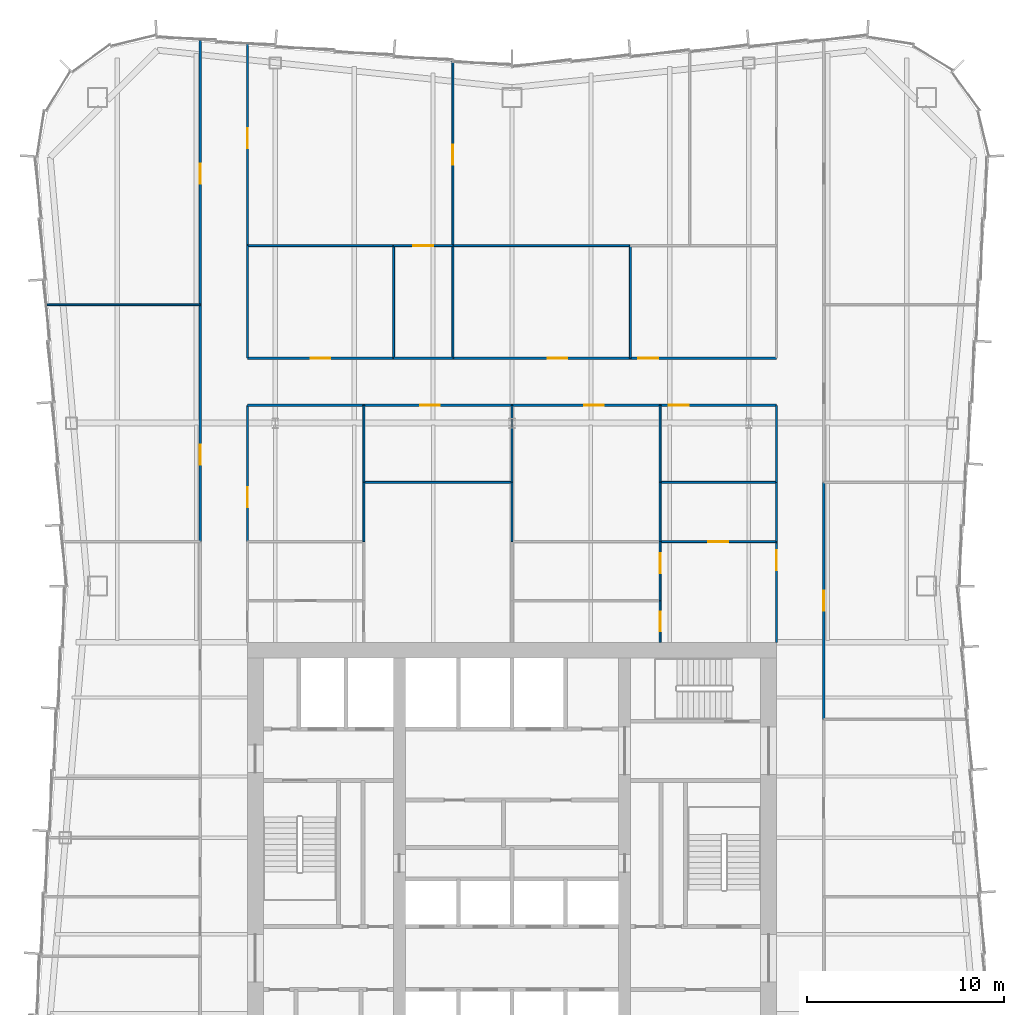
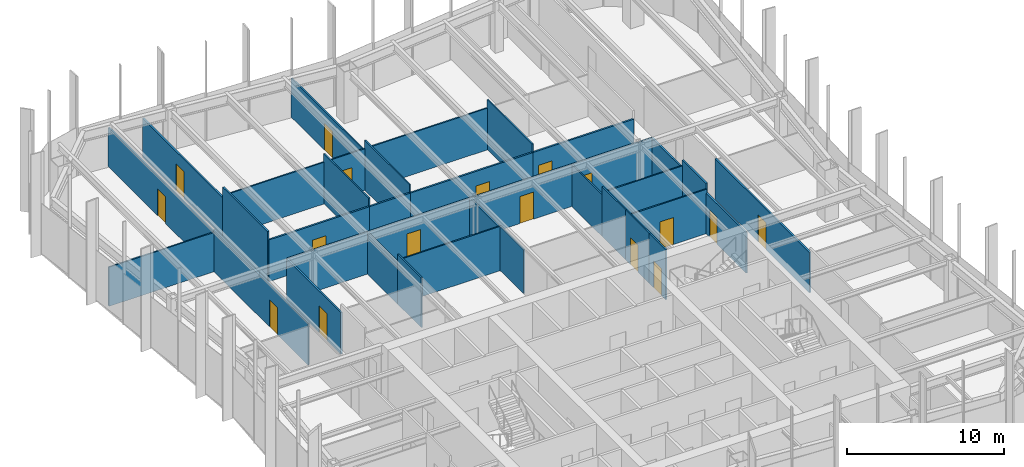
# One storey, part 13 of 15: 36 walls, 17 doors, 17 openings.
"""IFC4 building model written with IfcOpenShell, lengths in metres."""

from ifc_helpers import new_model, si_unit, direction, frame, frame_2d, origin, place, context, subcontext, project, spatial, rectangle, extrude, material, layer, layer_set, type_object, element, fill, save


model = new_model("IFC4")

# Units and contexts
model_context = context("Model", 3, precision=1e-05, world=origin(), true_north=direction((0.0, 1.0)))
body_context = subcontext(model_context, "Body", "Model", "MODEL_VIEW")
ifc_project = project(units=[si_unit("LENGTHUNIT", "METRE"), si_unit("AREAUNIT", "SQUARE_METRE"), si_unit("VOLUMEUNIT", "CUBIC_METRE"), si_unit("PLANEANGLEUNIT", "RADIAN"), si_unit("MASSUNIT", "GRAM", prefix="KILO")], contexts=[model_context])

# Site, building, storey
site_placement = place(None, origin())
site = spatial("IfcSite", under=ifc_project, at=site_placement, CompositionType="ELEMENT")
building_placement = place(site_placement, origin())
building = spatial("IfcBuilding", under=site, at=building_placement, Name="Verdant Reach Tower", CompositionType="ELEMENT")
storey_placement = place(building_placement, frame((0.0, 0.0, 274.0)))
storey = spatial("IfcBuildingStorey", under=building, at=storey_placement, Name="L63", CompositionType="ELEMENT", Elevation=274.0)

# Walls
ifc_material_1 = material(Name="Gypsum board on steel studs", Category="steel")
ifc_layer_1 = layer(ifc_material_1, 0.10009765625)
ifc_layer_set_1 = layer_set([ifc_layer_1], Name="FL-W1 Partition 100")
wall_type_1 = type_object("IfcWallType", Name="FL-W1 Partition 100", PredefinedType="PARTITIONING", material=ifc_layer_set_1)
wall_1_placement = place(storey_placement, frame((-15.800048828125, 55.5, 0.0), z_axis=(0.0, 0.0, 1.0), x_axis=(-1.0, 0.0, 0.0)))
element("IfcWall", 1, at=wall_1_placement, inside=storey, type_object=wall_type_1, Name="Partition 63.38", PredefinedType="PARTITIONING", context=body_context, shape_type="SweptSolid", body=[
    extrude(rectangle(XDim=7.7626953125, YDim=0.10009765625, at=frame_2d((3.88134765625, 0.0))), origin(), (0.0, 0.0, 1.0), 3.0400390625),
])
wall_2_placement = place(storey_placement, frame((-7.5, 43.49609375, 0.0), z_axis=(0.0, 0.0, 1.0), x_axis=(0.0, 1.0, 0.0)))
element("IfcWall", 2, at=wall_2_placement, inside=storey, type_object=wall_type_1, Name="Partition 63.51", PredefinedType="PARTITIONING", context=body_context, shape_type="SweptSolid", body=[
    extrude(rectangle(XDim=3.00390625, YDim=0.10009765625, at=frame_2d((1.501953125, 0.0))), origin(), (0.0, 0.0, 1.0), 3.8701171875),
])
wall_3_placement = place(storey_placement, frame((-7.5, 46.5, 0.0), z_axis=(0.0, 0.0, 1.0), x_axis=(0.0, 1.0, 0.0)))
element("IfcWall", 3, at=wall_3_placement, inside=storey, type_object=wall_type_1, Name="Partition 63.52", PredefinedType="PARTITIONING", context=body_context, shape_type="SweptSolid", body=[
    extrude(rectangle(XDim=3.89990234375, YDim=0.10009765625, at=frame_2d((1.949951171875, 0.0))), origin(), (0.0, 0.0, 1.0), 3.239990234375),
])
wall_4_placement = place(storey_placement, frame((0.0, 46.5, 0.0), z_axis=(0.0, 0.0, 1.0), x_axis=(-1.0, 0.0, 0.0)))
element("IfcWall", 4, at=wall_4_placement, inside=storey, type_object=wall_type_1, Name="Partition 63.53", PredefinedType="PARTITIONING", context=body_context, shape_type="SweptSolid", body=[
    extrude(rectangle(XDim=7.5, YDim=0.10009765625, at=frame_2d((3.75, 0.0))), origin(), (0.0, 0.0, 1.0), 3.43994140625),
])
wall_5_placement = place(storey_placement, frame((0.0, 43.5, 0.0), z_axis=(0.0, 0.0, 1.0), x_axis=(0.0, 1.0, 0.0)))
element("IfcWall", 5, at=wall_5_placement, inside=storey, type_object=wall_type_1, Name="Partition 63.56", PredefinedType="PARTITIONING", context=body_context, shape_type="SweptSolid", body=[
    extrude(rectangle(XDim=3.00390625, YDim=0.10009765625, at=frame_2d((1.501953125, 0.0))), origin(), (0.0, 0.0, 1.0), 3.43994140625),
])
wall_6_placement = place(storey_placement, frame((0.0, 46.49609375, 0.0), z_axis=(0.0, 0.0, 1.0), x_axis=(0.0, 1.0, 0.0)))
element("IfcWall", 6, at=wall_6_placement, inside=storey, type_object=wall_type_1, Name="Partition 63.57", PredefinedType="PARTITIONING", context=body_context, shape_type="SweptSolid", body=[
    extrude(rectangle(XDim=3.90380859375, YDim=0.10009765625, at=frame_2d((1.951904296875, 0.0))), origin(), (0.0, 0.0, 1.0), 3.2900390625),
])

# Wall, opening, door
wall_7_placement = place(storey_placement, frame((7.5, 43.5, 0.0), z_axis=(0.0, 0.0, 1.0), x_axis=(1.0, 0.0, 0.0)))
wall_7 = element("IfcWall", 7, at=wall_7_placement, inside=storey, type_object=wall_type_1, Name="Partition 63.58", PredefinedType="PARTITIONING", context=body_context, shape_type="SweptSolid", body=[
    extrude(rectangle(XDim=5.89990234375, YDim=0.10009765625, at=frame_2d((2.949951171875, 0.0))), origin(), (0.0, 0.0, 1.0), 3.43994140625),
])
opening_1_placement = place(wall_7_placement, frame((2.449951171875, 0.0, 0.0)))
opening_1 = element("IfcOpeningElement", 8, at=opening_1_placement, cuts=wall_7, Name="Opening D3", PredefinedType="OPENING", context=body_context, shape_type="SweptSolid", body=[
    extrude(rectangle(XDim=1.0, YDim=2.10009765625, at=frame_2d((0.5, 1.050048828125))), frame((0.0, 0.06005859375, 0.0), z_axis=(0.0, -1.0, 0.0), x_axis=(1.0, 0.0, 0.0)), (0.0, 0.0, 1.0), 0.1201171875),
])
ifc_material_2 = material(Name="Painted timber door leaf", Category="wood")
door_type_1 = type_object("IfcDoorType", Name="FL-D3 Door 1000x2100", OperationType="NOTDEFINED", PredefinedType="DOOR", material=ifc_material_2)
door_1_placement = place(opening_1_placement, origin())
door_1 = element("IfcDoor", 9, at=door_1_placement, inside=storey, type_object=door_type_1, Name="Door 63-031", OperationType="SINGLE_SWING_LEFT", OverallHeight=2.10009765625, OverallWidth=1.0, PredefinedType="DOOR", context=body_context, shape_type="SweptSolid", body=[
    extrude(rectangle(XDim=1.0, YDim=2.10009765625, at=frame_2d((0.5, 1.050048828125))), frame((0.0, 0.02490234375, 0.0), z_axis=(0.0, -1.0, 0.0), x_axis=(1.0, 0.0, 0.0)), (0.0, 0.0, 1.0), 0.050048828125),
])
fill(opening_1, door_1)

wall_8_placement = place(storey_placement, frame((7.5, 38.39990234375, 0.0), z_axis=(0.0, 0.0, 1.0), x_axis=(0.0, 1.0, 0.0)))
wall_8 = element("IfcWall", 10, at=wall_8_placement, inside=storey, type_object=wall_type_1, Name="Partition 63.59", PredefinedType="PARTITIONING", context=body_context, shape_type="SweptSolid", body=[
    extrude(rectangle(XDim=2.10009765625, YDim=0.10009765625, at=frame_2d((1.050048828125, 0.0))), origin(), (0.0, 0.0, 1.0), 3.8701171875),
])
opening_2_placement = place(wall_8_placement, frame((0.550048828125, 0.0, 0.0)))
opening_2 = element("IfcOpeningElement", 11, at=opening_2_placement, cuts=wall_8, Name="Opening D3", PredefinedType="OPENING", context=body_context, shape_type="SweptSolid", body=[
    extrude(rectangle(XDim=1.0, YDim=2.10009765625, at=frame_2d((0.5, 1.050048828125))), frame((0.0, 0.06005859375, 0.0), z_axis=(0.0, -1.0, 0.0), x_axis=(1.0, 0.0, 0.0)), (0.0, 0.0, 1.0), 0.1201171875),
])
door_2_placement = place(opening_2_placement, origin())
door_2 = element("IfcDoor", 12, at=door_2_placement, inside=storey, type_object=door_type_1, Name="Door 63-032", OperationType="SINGLE_SWING_RIGHT", OverallHeight=2.10009765625, OverallWidth=1.0, PredefinedType="DOOR", context=body_context, shape_type="SweptSolid", body=[
    extrude(rectangle(XDim=1.0, YDim=2.10009765625, at=frame_2d((0.5, 1.050048828125))), frame((0.0, 0.02490234375, 0.0), z_axis=(0.0, -1.0, 0.0), x_axis=(1.0, 0.0, 0.0)), (0.0, 0.0, 1.0), 0.050048828125),
])
fill(opening_2, door_2)

wall_9_placement = place(storey_placement, frame((7.5, 40.5, 0.0), z_axis=(0.0, 0.0, 1.0), x_axis=(0.0, 1.0, 0.0)))
wall_9 = element("IfcWall", 13, at=wall_9_placement, inside=storey, type_object=wall_type_1, Name="Partition 63.60", PredefinedType="PARTITIONING", context=body_context, shape_type="SweptSolid", body=[
    extrude(rectangle(XDim=3.0, YDim=0.10009765625, at=frame_2d((1.5, 0.0))), origin(), (0.0, 0.0, 1.0), 3.8701171875),
])
opening_3_placement = place(wall_9_placement, frame((1.39990234375, 0.0, 0.0)))
opening_3 = element("IfcOpeningElement", 14, at=opening_3_placement, cuts=wall_9, Name="Opening D3", PredefinedType="OPENING", context=body_context, shape_type="SweptSolid", body=[
    extrude(rectangle(XDim=1.0, YDim=2.10009765625, at=frame_2d((0.5, 1.050048828125))), frame((0.0, 0.06005859375, 0.0), z_axis=(0.0, -1.0, 0.0), x_axis=(1.0, 0.0, 0.0)), (0.0, 0.0, 1.0), 0.1201171875),
])
door_3_placement = place(opening_3_placement, origin())
door_3 = element("IfcDoor", 15, at=door_3_placement, inside=storey, type_object=door_type_1, Name="Door 63-033", OperationType="SINGLE_SWING_RIGHT", OverallHeight=2.10009765625, OverallWidth=1.0, PredefinedType="DOOR", context=body_context, shape_type="SweptSolid", body=[
    extrude(rectangle(XDim=1.0, YDim=2.10009765625, at=frame_2d((0.5, 1.050048828125))), frame((0.0, 0.02490234375, 0.0), z_axis=(0.0, -1.0, 0.0), x_axis=(1.0, 0.0, 0.0)), (0.0, 0.0, 1.0), 0.050048828125),
])
fill(opening_3, door_3)

# Walls
wall_10_placement = place(storey_placement, frame((13.39990234375, 46.5, 0.0), z_axis=(0.0, 0.0, 1.0), x_axis=(-1.0, 0.0, 0.0)))
element("IfcWall", 16, at=wall_10_placement, inside=storey, type_object=wall_type_1, Name="Partition 63.61", PredefinedType="PARTITIONING", context=body_context, shape_type="SweptSolid", body=[
    extrude(rectangle(XDim=5.89990234375, YDim=0.10009765625, at=frame_2d((2.949951171875, 0.0))), origin(), (0.0, 0.0, 1.0), 3.43994140625),
])
wall_11_placement = place(storey_placement, frame((7.5, 46.50390625, 0.0), z_axis=(0.0, 0.0, 1.0), x_axis=(0.0, -1.0, 0.0)))
element("IfcWall", 17, at=wall_11_placement, inside=storey, type_object=wall_type_1, Name="Partition 63.62", PredefinedType="PARTITIONING", context=body_context, shape_type="SweptSolid", body=[
    extrude(rectangle(XDim=3.00390625, YDim=0.10009765625, at=frame_2d((1.501953125, 0.0))), origin(), (0.0, 0.0, 1.0), 3.8701171875),
])
wall_12_placement = place(storey_placement, frame((7.5, 50.39990234375, 0.0), z_axis=(0.0, 0.0, 1.0), x_axis=(0.0, -1.0, 0.0)))
element("IfcWall", 18, at=wall_12_placement, inside=storey, type_object=wall_type_1, Name="Partition 63.63", PredefinedType="PARTITIONING", context=body_context, shape_type="SweptSolid", body=[
    extrude(rectangle(XDim=3.90380859375, YDim=0.10009765625, at=frame_2d((1.951904296875, 0.0))), origin(), (0.0, 0.0, 1.0), 3.239990234375),
])
wall_13_placement = place(storey_placement, frame((-6.0, 52.800048828125, 0.0), z_axis=(0.0, 0.0, 1.0), x_axis=(0.0, 1.0, 0.0)))
element("IfcWall", 19, at=wall_13_placement, inside=storey, type_object=wall_type_1, Name="Partition 63.66", PredefinedType="PARTITIONING", context=body_context, shape_type="SweptSolid", body=[
    extrude(rectangle(XDim=5.699951171875, YDim=0.10009765625, at=frame_2d((2.85009765625, 0.0))), origin(), (0.0, 0.0, 1.0), 3.8701171875),
])
wall_14_placement = place(storey_placement, frame((-5.99609375, 58.5, 0.0), z_axis=(0.0, 0.0, 1.0), x_axis=(-1.0, 0.0, 0.0)))
element("IfcWall", 20, at=wall_14_placement, inside=storey, type_object=wall_type_1, Name="Partition 63.67", PredefinedType="PARTITIONING", context=body_context, shape_type="SweptSolid", body=[
    extrude(rectangle(XDim=7.40380859375, YDim=0.10009765625, at=frame_2d((3.701904296875, 0.0))), origin(), (0.0, 0.0, 1.0), 3.239990234375),
])
wall_15_placement = place(storey_placement, frame((-3.0, 52.800048828125, 0.0), z_axis=(0.0, 0.0, 1.0), x_axis=(0.0, 1.0, 0.0)))
element("IfcWall", 21, at=wall_15_placement, inside=storey, type_object=wall_type_1, Name="Partition 63.68", PredefinedType="PARTITIONING", context=body_context, shape_type="SweptSolid", body=[
    extrude(rectangle(XDim=5.699951171875, YDim=0.10009765625, at=frame_2d((2.85009765625, 0.0))), origin(), (0.0, 0.0, 1.0), 3.8701171875),
])

# Wall, opening, door
wall_16_placement = place(storey_placement, frame((-3.0, 58.5, 0.0), z_axis=(0.0, 0.0, 1.0), x_axis=(-1.0, 0.0, 0.0)))
wall_16 = element("IfcWall", 22, at=wall_16_placement, inside=storey, type_object=wall_type_1, Name="Partition 63.69", PredefinedType="PARTITIONING", context=body_context, shape_type="SweptSolid", body=[
    extrude(rectangle(XDim=3.00390625, YDim=0.10009765625, at=frame_2d((1.501953125, 0.0))), origin(), (0.0, 0.0, 1.0), 3.239990234375),
])
opening_4_placement = place(wall_16_placement, frame((1.001953125, 0.0, 0.0)))
opening_4 = element("IfcOpeningElement", 23, at=opening_4_placement, cuts=wall_16, Name="Opening D3", PredefinedType="OPENING", context=body_context, shape_type="SweptSolid", body=[
    extrude(rectangle(XDim=1.0, YDim=2.10009765625, at=frame_2d((0.5, 1.050048828125))), frame((0.0, 0.06005859375, 0.0), z_axis=(0.0, -1.0, 0.0), x_axis=(1.0, 0.0, 0.0)), (0.0, 0.0, 1.0), 0.1201171875),
])
door_4_placement = place(opening_4_placement, origin())
door_4 = element("IfcDoor", 24, at=door_4_placement, inside=storey, type_object=door_type_1, Name="Door 63-034", OperationType="SINGLE_SWING_RIGHT", OverallHeight=2.10009765625, OverallWidth=1.0, PredefinedType="DOOR", context=body_context, shape_type="SweptSolid", body=[
    extrude(rectangle(XDim=1.0, YDim=2.10009765625, at=frame_2d((0.5, 1.050048828125))), frame((0.0, 0.02490234375, 0.0), z_axis=(0.0, -1.0, 0.0), x_axis=(1.0, 0.0, 0.0)), (0.0, 0.0, 1.0), 0.050048828125),
])
fill(opening_4, door_4)

# Walls
wall_17_placement = place(storey_placement, frame((6.0, 52.800048828125, 0.0), z_axis=(0.0, 0.0, 1.0), x_axis=(0.0, 1.0, 0.0)))
element("IfcWall", 25, at=wall_17_placement, inside=storey, type_object=wall_type_1, Name="Partition 63.70", PredefinedType="PARTITIONING", context=body_context, shape_type="SweptSolid", body=[
    extrude(rectangle(XDim=5.699951171875, YDim=0.10009765625, at=frame_2d((2.85009765625, 0.0))), origin(), (0.0, 0.0, 1.0), 3.8701171875),
])
wall_18_placement = place(storey_placement, frame((6.00390625, 58.5, 0.0), z_axis=(0.0, 0.0, 1.0), x_axis=(-1.0, 0.0, 0.0)))
element("IfcWall", 26, at=wall_18_placement, inside=storey, type_object=wall_type_1, Name="Partition 63.71", PredefinedType="PARTITIONING", context=body_context, shape_type="SweptSolid", body=[
    extrude(rectangle(XDim=9.00390625, YDim=0.10009765625, at=frame_2d((4.501953125, 0.0))), origin(), (0.0, 0.0, 1.0), 3.239990234375),
])

# Wall, opening, door
wall_19_placement = place(storey_placement, frame((-3.0, 67.830078125, 0.0), z_axis=(0.0, 0.0, 1.0), x_axis=(0.0, -1.0, 0.0)))
wall_19 = element("IfcWall", 27, at=wall_19_placement, inside=storey, type_object=wall_type_1, Name="Partition 63.74", PredefinedType="PARTITIONING", context=body_context, shape_type="SweptSolid", body=[
    extrude(rectangle(XDim=9.330078125, YDim=0.10009765625, at=frame_2d((4.6650390625, 0.0))), origin(), (0.0, 0.0, 1.0), 3.0400390625),
])
opening_5_placement = place(wall_19_placement, frame((4.22998046875, 0.0, 0.0)))
opening_5 = element("IfcOpeningElement", 28, at=opening_5_placement, cuts=wall_19, Name="Opening D3", PredefinedType="OPENING", context=body_context, shape_type="SweptSolid", body=[
    extrude(rectangle(XDim=1.0, YDim=2.10009765625, at=frame_2d((0.5, 1.050048828125))), frame((0.0, 0.06005859375, 0.0), z_axis=(0.0, -1.0, 0.0), x_axis=(1.0, 0.0, 0.0)), (0.0, 0.0, 1.0), 0.1201171875),
])
door_5_placement = place(opening_5_placement, origin())
door_5 = element("IfcDoor", 29, at=door_5_placement, inside=storey, type_object=door_type_1, Name="Door 63-035", OperationType="SINGLE_SWING_RIGHT", OverallHeight=2.10009765625, OverallWidth=1.0, PredefinedType="DOOR", context=body_context, shape_type="SweptSolid", body=[
    extrude(rectangle(XDim=1.0, YDim=2.10009765625, at=frame_2d((0.5, 1.050048828125))), frame((0.0, 0.02490234375, 0.0), z_axis=(0.0, -1.0, 0.0), x_axis=(1.0, 0.0, 0.0)), (0.0, 0.0, 1.0), 0.050048828125),
])
fill(opening_5, door_5)

ifc_material_3 = material(Name="Gypsum board on steel studs, fire rated", Category="steel")
ifc_layer_2 = layer(ifc_material_3, 0.125)
ifc_layer_set_2 = layer_set([ifc_layer_2], Name="FL-W2 Corridor wall 125")
wall_type_2 = type_object("IfcWallType", Name="FL-W2 Corridor wall 125", PredefinedType="PARTITIONING", material=ifc_layer_set_2)
wall_20_placement = place(storey_placement, frame((-15.800048828125, 43.5, 0.0), z_axis=(0.0, 0.0, 1.0), x_axis=(0.0, 1.0, 0.0)))
wall_20 = element("IfcWall", 30, at=wall_20_placement, inside=storey, type_object=wall_type_2, Name="Partition 63.06", PredefinedType="PARTITIONING", context=body_context, shape_type="SweptSolid", body=[
    extrude(rectangle(XDim=12.0, YDim=0.125, at=frame_2d((6.0, 0.0))), origin(), (0.0, 0.0, 1.0), 3.239990234375),
])
opening_6_placement = place(wall_20_placement, frame((3.89990234375, 0.0, 0.0)))
opening_6 = element("IfcOpeningElement", 31, at=opening_6_placement, cuts=wall_20, Name="Opening D2", PredefinedType="OPENING", context=body_context, shape_type="SweptSolid", body=[
    extrude(rectangle(XDim=1.0, YDim=2.10009765625, at=frame_2d((0.5, 1.050048828125))), frame((0.0, 0.072509765625, 0.0), z_axis=(0.0, -1.0, 0.0), x_axis=(1.0, 0.0, 0.0)), (0.0, 0.0, 1.0), 0.14501953125),
])
ifc_material_4 = material(Name="Timber door leaf, fire rated", Category="wood")
door_type_2 = type_object("IfcDoorType", Name="FL-D2 Entrance door 1000x2100 FD30", OperationType="NOTDEFINED", PredefinedType="DOOR", material=ifc_material_4)
door_6_placement = place(opening_6_placement, origin())
door_6 = element("IfcDoor", 32, at=door_6_placement, inside=storey, type_object=door_type_2, Name="Door 63-006", OperationType="SINGLE_SWING_LEFT", OverallHeight=2.10009765625, OverallWidth=1.0, PredefinedType="DOOR", context=body_context, shape_type="SweptSolid", body=[
    extrude(rectangle(XDim=1.0, YDim=2.10009765625, at=frame_2d((0.5, 1.050048828125))), frame((0.0, 0.02490234375, 0.0), z_axis=(0.0, -1.0, 0.0), x_axis=(1.0, 0.0, 0.0)), (0.0, 0.0, 1.0), 0.050048828125),
])
fill(opening_6, door_6)

wall_21_placement = place(storey_placement, frame((-15.800048828125, 55.5, 0.0), z_axis=(0.0, 0.0, 1.0), x_axis=(0.0, 1.0, 0.0)))
wall_21 = element("IfcWall", 33, at=wall_21_placement, inside=storey, type_object=wall_type_2, Name="Partition 63.07", PredefinedType="PARTITIONING", context=body_context, shape_type="SweptSolid", body=[
    extrude(rectangle(XDim=13.396728515625, YDim=0.125, at=frame_2d((6.6982421875, 0.0))), origin(), (0.0, 0.0, 1.0), 3.0400390625),
])
opening_7_placement = place(wall_21_placement, frame((6.13330078125, 0.0, 0.0)))
opening_7 = element("IfcOpeningElement", 34, at=opening_7_placement, cuts=wall_21, Name="Opening D2", PredefinedType="OPENING", context=body_context, shape_type="SweptSolid", body=[
    extrude(rectangle(XDim=1.0, YDim=2.10009765625, at=frame_2d((0.5, 1.050048828125))), frame((0.0, 0.072509765625, 0.0), z_axis=(0.0, -1.0, 0.0), x_axis=(1.0, 0.0, 0.0)), (0.0, 0.0, 1.0), 0.14501953125),
])
door_7_placement = place(opening_7_placement, origin())
door_7 = element("IfcDoor", 35, at=door_7_placement, inside=storey, type_object=door_type_2, Name="Door 63-007", OperationType="SINGLE_SWING_LEFT", OverallHeight=2.10009765625, OverallWidth=1.0, PredefinedType="DOOR", context=body_context, shape_type="SweptSolid", body=[
    extrude(rectangle(XDim=1.0, YDim=2.10009765625, at=frame_2d((0.5, 1.050048828125))), frame((0.0, 0.02490234375, 0.0), z_axis=(0.0, -1.0, 0.0), x_axis=(1.0, 0.0, 0.0)), (0.0, 0.0, 1.0), 0.050048828125),
])
fill(opening_7, door_7)

wall_22_placement = place(storey_placement, frame((15.800048828125, 46.5, 0.0), z_axis=(0.0, 0.0, 1.0), x_axis=(0.0, -1.0, 0.0)))
wall_22 = element("IfcWall", 36, at=wall_22_placement, inside=storey, type_object=wall_type_2, Name="Partition 63.10", PredefinedType="PARTITIONING", context=body_context, shape_type="SweptSolid", body=[
    extrude(rectangle(XDim=12.0, YDim=0.125, at=frame_2d((6.0, 0.0))), origin(), (0.0, 0.0, 1.0), 3.139892578125),
])
opening_8_placement = place(wall_22_placement, frame((5.5, 0.0, 0.0)))
opening_8 = element("IfcOpeningElement", 37, at=opening_8_placement, cuts=wall_22, Name="Opening D2", PredefinedType="OPENING", context=body_context, shape_type="SweptSolid", body=[
    extrude(rectangle(XDim=1.0, YDim=2.10009765625, at=frame_2d((0.5, 1.050048828125))), frame((0.0, 0.072509765625, 0.0), z_axis=(0.0, -1.0, 0.0), x_axis=(1.0, 0.0, 0.0)), (0.0, 0.0, 1.0), 0.14501953125),
])
door_8_placement = place(opening_8_placement, origin())
door_8 = element("IfcDoor", 38, at=door_8_placement, inside=storey, type_object=door_type_2, Name="Door 63-010", OperationType="SINGLE_SWING_RIGHT", OverallHeight=2.10009765625, OverallWidth=1.0, PredefinedType="DOOR", context=body_context, shape_type="SweptSolid", body=[
    extrude(rectangle(XDim=1.0, YDim=2.10009765625, at=frame_2d((0.5, 1.050048828125))), frame((0.0, 0.02490234375, 0.0), z_axis=(0.0, -1.0, 0.0), x_axis=(1.0, 0.0, 0.0)), (0.0, 0.0, 1.0), 0.050048828125),
])
fill(opening_8, door_8)

wall_23_placement = place(storey_placement, frame((-13.39990234375, 50.39990234375, 0.0), z_axis=(0.0, 0.0, 1.0), x_axis=(0.0, -1.0, 0.0)))
wall_23 = element("IfcWall", 39, at=wall_23_placement, inside=storey, type_object=wall_type_2, Name="Partition 63.17", PredefinedType="PARTITIONING", context=body_context, shape_type="SweptSolid", body=[
    extrude(rectangle(XDim=6.89990234375, YDim=0.125, at=frame_2d((3.449951171875, 0.0))), origin(), (0.0, 0.0, 1.0), 3.239990234375),
])
opening_9_placement = place(wall_23_placement, frame((4.14990234375, 0.0, 0.0)))
opening_9 = element("IfcOpeningElement", 40, at=opening_9_placement, cuts=wall_23, Name="Opening D2", PredefinedType="OPENING", context=body_context, shape_type="SweptSolid", body=[
    extrude(rectangle(XDim=1.0, YDim=2.10009765625, at=frame_2d((0.5, 1.050048828125))), frame((0.0, 0.072509765625, 0.0), z_axis=(0.0, -1.0, 0.0), x_axis=(1.0, 0.0, 0.0)), (0.0, 0.0, 1.0), 0.14501953125),
])
door_9_placement = place(opening_9_placement, origin())
door_9 = element("IfcDoor", 41, at=door_9_placement, inside=storey, type_object=door_type_2, Name="Door 63-016", OperationType="SINGLE_SWING_RIGHT", OverallHeight=2.10009765625, OverallWidth=1.0, PredefinedType="DOOR", context=body_context, shape_type="SweptSolid", body=[
    extrude(rectangle(XDim=1.0, YDim=2.10009765625, at=frame_2d((0.5, 1.050048828125))), frame((0.0, 0.02490234375, 0.0), z_axis=(0.0, -1.0, 0.0), x_axis=(1.0, 0.0, 0.0)), (0.0, 0.0, 1.0), 0.050048828125),
])
fill(opening_9, door_9)

# Wall
wall_24_placement = place(storey_placement, frame((-7.5, 50.39990234375, 0.0), z_axis=(0.0, 0.0, 1.0), x_axis=(-1.0, 0.0, 0.0)))
element("IfcWall", 42, at=wall_24_placement, inside=storey, type_object=wall_type_2, Name="Partition 63.18", PredefinedType="PARTITIONING", context=body_context, shape_type="SweptSolid", body=[
    extrude(rectangle(XDim=5.89990234375, YDim=0.125, at=frame_2d((2.949951171875, 0.0))), origin(), (0.0, 0.0, 1.0), 3.239990234375),
])

# Wall, opening, door
wall_25_placement = place(storey_placement, frame((0.0, 50.39990234375, 0.0), z_axis=(0.0, 0.0, 1.0), x_axis=(-1.0, 0.0, 0.0)))
wall_25 = element("IfcWall", 43, at=wall_25_placement, inside=storey, type_object=wall_type_2, Name="Partition 63.19", PredefinedType="PARTITIONING", context=body_context, shape_type="SweptSolid", body=[
    extrude(rectangle(XDim=7.5, YDim=0.125, at=frame_2d((3.75, 0.0))), origin(), (0.0, 0.0, 1.0), 3.239990234375),
])
opening_10_placement = place(wall_25_placement, frame((3.64990234375, 0.0, 0.0)))
opening_10 = element("IfcOpeningElement", 44, at=opening_10_placement, cuts=wall_25, Name="Opening D2", PredefinedType="OPENING", context=body_context, shape_type="SweptSolid", body=[
    extrude(rectangle(XDim=1.0, YDim=2.10009765625, at=frame_2d((0.5, 1.050048828125))), frame((0.0, 0.072509765625, 0.0), z_axis=(0.0, -1.0, 0.0), x_axis=(1.0, 0.0, 0.0)), (0.0, 0.0, 1.0), 0.14501953125),
])
door_10_placement = place(opening_10_placement, origin())
door_10 = element("IfcDoor", 45, at=door_10_placement, inside=storey, type_object=door_type_2, Name="Door 63-017", OperationType="SINGLE_SWING_RIGHT", OverallHeight=2.10009765625, OverallWidth=1.0, PredefinedType="DOOR", context=body_context, shape_type="SweptSolid", body=[
    extrude(rectangle(XDim=1.0, YDim=2.10009765625, at=frame_2d((0.5, 1.050048828125))), frame((0.0, 0.02490234375, 0.0), z_axis=(0.0, -1.0, 0.0), x_axis=(1.0, 0.0, 0.0)), (0.0, 0.0, 1.0), 0.050048828125),
])
fill(opening_10, door_10)

wall_26_placement = place(storey_placement, frame((13.39990234375, 38.39990234375, 0.0), z_axis=(0.0, 0.0, 1.0), x_axis=(0.0, 1.0, 0.0)))
wall_26 = element("IfcWall", 46, at=wall_26_placement, inside=storey, type_object=wall_type_2, Name="Partition 63.20", PredefinedType="PARTITIONING", context=body_context, shape_type="SweptSolid", body=[
    extrude(rectangle(XDim=5.10009765625, YDim=0.125, at=frame_2d((2.550048828125, 0.0))), origin(), (0.0, 0.0, 1.0), 3.139892578125),
])
opening_11_placement = place(wall_26_placement, frame((3.64990234375, 0.0, 0.0)))
opening_11 = element("IfcOpeningElement", 47, at=opening_11_placement, cuts=wall_26, Name="Opening D2", PredefinedType="OPENING", context=body_context, shape_type="SweptSolid", body=[
    extrude(rectangle(XDim=1.0, YDim=2.10009765625, at=frame_2d((0.5, 1.050048828125))), frame((0.0, 0.072509765625, 0.0), z_axis=(0.0, -1.0, 0.0), x_axis=(1.0, 0.0, 0.0)), (0.0, 0.0, 1.0), 0.14501953125),
])
door_11_placement = place(opening_11_placement, origin())
door_11 = element("IfcDoor", 48, at=door_11_placement, inside=storey, type_object=door_type_2, Name="Door 63-018", OperationType="SINGLE_SWING_RIGHT", OverallHeight=2.10009765625, OverallWidth=1.0, PredefinedType="DOOR", context=body_context, shape_type="SweptSolid", body=[
    extrude(rectangle(XDim=1.0, YDim=2.10009765625, at=frame_2d((0.5, 1.050048828125))), frame((0.0, 0.02490234375, 0.0), z_axis=(0.0, -1.0, 0.0), x_axis=(1.0, 0.0, 0.0)), (0.0, 0.0, 1.0), 0.050048828125),
])
fill(opening_11, door_11)

# Wall
wall_27_placement = place(storey_placement, frame((13.39990234375, 43.5, 0.0), z_axis=(0.0, 0.0, 1.0), x_axis=(0.0, 1.0, 0.0)))
element("IfcWall", 49, at=wall_27_placement, inside=storey, type_object=wall_type_2, Name="Partition 63.21", PredefinedType="PARTITIONING", context=body_context, shape_type="SweptSolid", body=[
    extrude(rectangle(XDim=3.0, YDim=0.125, at=frame_2d((1.5, 0.0))), origin(), (0.0, 0.0, 1.0), 3.8701171875),
])

# Wall, opening, door
wall_28_placement = place(storey_placement, frame((13.39990234375, 50.39990234375, 0.0), z_axis=(0.0, 0.0, 1.0), x_axis=(-1.0, 0.0, 0.0)))
wall_28 = element("IfcWall", 50, at=wall_28_placement, inside=storey, type_object=wall_type_2, Name="Partition 63.22", PredefinedType="PARTITIONING", context=body_context, shape_type="SweptSolid", body=[
    extrude(rectangle(XDim=5.89990234375, YDim=0.125, at=frame_2d((2.949951171875, 0.0))), origin(), (0.0, 0.0, 1.0), 3.239990234375),
])
opening_12_placement = place(wall_28_placement, frame((4.449951171875, 0.0, 0.0)))
opening_12 = element("IfcOpeningElement", 51, at=opening_12_placement, cuts=wall_28, Name="Opening D2", PredefinedType="OPENING", context=body_context, shape_type="SweptSolid", body=[
    extrude(rectangle(XDim=1.0, YDim=2.10009765625, at=frame_2d((0.5, 1.050048828125))), frame((0.0, 0.072509765625, 0.0), z_axis=(0.0, -1.0, 0.0), x_axis=(1.0, 0.0, 0.0)), (0.0, 0.0, 1.0), 0.14501953125),
])
door_12_placement = place(opening_12_placement, origin())
door_12 = element("IfcDoor", 52, at=door_12_placement, inside=storey, type_object=door_type_2, Name="Door 63-019", OperationType="SINGLE_SWING_RIGHT", OverallHeight=2.10009765625, OverallWidth=1.0, PredefinedType="DOOR", context=body_context, shape_type="SweptSolid", body=[
    extrude(rectangle(XDim=1.0, YDim=2.10009765625, at=frame_2d((0.5, 1.050048828125))), frame((0.0, 0.02490234375, 0.0), z_axis=(0.0, -1.0, 0.0), x_axis=(1.0, 0.0, 0.0)), (0.0, 0.0, 1.0), 0.050048828125),
])
fill(opening_12, door_12)

# Wall
wall_29_placement = place(storey_placement, frame((13.39990234375, 46.5, 0.0), z_axis=(0.0, 0.0, 1.0), x_axis=(0.0, 1.0, 0.0)))
element("IfcWall", 53, at=wall_29_placement, inside=storey, type_object=wall_type_2, Name="Partition 63.23", PredefinedType="PARTITIONING", context=body_context, shape_type="SweptSolid", body=[
    extrude(rectangle(XDim=3.89990234375, YDim=0.125, at=frame_2d((1.949951171875, 0.0))), origin(), (0.0, 0.0, 1.0), 3.239990234375),
])

# Wall, opening, door
wall_30_placement = place(storey_placement, frame((7.5, 50.39990234375, 0.0), z_axis=(0.0, 0.0, 1.0), x_axis=(-1.0, 0.0, 0.0)))
wall_30 = element("IfcWall", 54, at=wall_30_placement, inside=storey, type_object=wall_type_2, Name="Partition 63.24", PredefinedType="PARTITIONING", context=body_context, shape_type="SweptSolid", body=[
    extrude(rectangle(XDim=7.5, YDim=0.125, at=frame_2d((3.75, 0.0))), origin(), (0.0, 0.0, 1.0), 3.239990234375),
])
opening_13_placement = place(wall_30_placement, frame((2.85009765625, 0.0, 0.0)))
opening_13 = element("IfcOpeningElement", 55, at=opening_13_placement, cuts=wall_30, Name="Opening D2", PredefinedType="OPENING", context=body_context, shape_type="SweptSolid", body=[
    extrude(rectangle(XDim=1.0, YDim=2.10009765625, at=frame_2d((0.5, 1.050048828125))), frame((0.0, 0.072509765625, 0.0), z_axis=(0.0, -1.0, 0.0), x_axis=(1.0, 0.0, 0.0)), (0.0, 0.0, 1.0), 0.14501953125),
])
door_13_placement = place(opening_13_placement, origin())
door_13 = element("IfcDoor", 56, at=door_13_placement, inside=storey, type_object=door_type_2, Name="Door 63-020", OperationType="SINGLE_SWING_LEFT", OverallHeight=2.10009765625, OverallWidth=1.0, PredefinedType="DOOR", context=body_context, shape_type="SweptSolid", body=[
    extrude(rectangle(XDim=1.0, YDim=2.10009765625, at=frame_2d((0.5, 1.050048828125))), frame((0.0, 0.02490234375, 0.0), z_axis=(0.0, -1.0, 0.0), x_axis=(1.0, 0.0, 0.0)), (0.0, 0.0, 1.0), 0.050048828125),
])
fill(opening_13, door_13)

wall_31_placement = place(storey_placement, frame((-13.39990234375, 52.800048828125, 0.0), z_axis=(0.0, 0.0, 1.0), x_axis=(1.0, 0.0, 0.0)))
wall_31 = element("IfcWall", 57, at=wall_31_placement, inside=storey, type_object=wall_type_2, Name="Partition 63.25", PredefinedType="PARTITIONING", context=body_context, shape_type="SweptSolid", body=[
    extrude(rectangle(XDim=7.39990234375, YDim=0.125, at=frame_2d((3.699951171875, 0.0))), origin(), (0.0, 0.0, 1.0), 3.239990234375),
])
opening_14_placement = place(wall_31_placement, frame((3.199951171875, 0.0, 0.0)))
opening_14 = element("IfcOpeningElement", 58, at=opening_14_placement, cuts=wall_31, Name="Opening D2", PredefinedType="OPENING", context=body_context, shape_type="SweptSolid", body=[
    extrude(rectangle(XDim=1.0, YDim=2.10009765625, at=frame_2d((0.5, 1.050048828125))), frame((0.0, 0.072509765625, 0.0), z_axis=(0.0, -1.0, 0.0), x_axis=(1.0, 0.0, 0.0)), (0.0, 0.0, 1.0), 0.14501953125),
])
door_14_placement = place(opening_14_placement, origin())
door_14 = element("IfcDoor", 59, at=door_14_placement, inside=storey, type_object=door_type_2, Name="Door 63-021", OperationType="SINGLE_SWING_LEFT", OverallHeight=2.10009765625, OverallWidth=1.0, PredefinedType="DOOR", context=body_context, shape_type="SweptSolid", body=[
    extrude(rectangle(XDim=1.0, YDim=2.10009765625, at=frame_2d((0.5, 1.050048828125))), frame((0.0, 0.02490234375, 0.0), z_axis=(0.0, -1.0, 0.0), x_axis=(1.0, 0.0, 0.0)), (0.0, 0.0, 1.0), 0.050048828125),
])
fill(opening_14, door_14)

# Walls
wall_32_placement = place(storey_placement, frame((-13.39990234375, 52.800048828125, 0.0), z_axis=(0.0, 0.0, 1.0), x_axis=(0.0, 1.0, 0.0)))
element("IfcWall", 60, at=wall_32_placement, inside=storey, type_object=wall_type_2, Name="Partition 63.26", PredefinedType="PARTITIONING", context=body_context, shape_type="SweptSolid", body=[
    extrude(rectangle(XDim=5.699951171875, YDim=0.125, at=frame_2d((2.85009765625, 0.0))), origin(), (0.0, 0.0, 1.0), 3.8701171875),
])
wall_33_placement = place(storey_placement, frame((-3.0, 52.800048828125, 0.0), z_axis=(0.0, 0.0, 1.0), x_axis=(-1.0, 0.0, 0.0)))
element("IfcWall", 61, at=wall_33_placement, inside=storey, type_object=wall_type_2, Name="Partition 63.27", PredefinedType="PARTITIONING", context=body_context, shape_type="SweptSolid", body=[
    extrude(rectangle(XDim=3.0, YDim=0.125, at=frame_2d((1.5, 0.0))), origin(), (0.0, 0.0, 1.0), 3.239990234375),
])

# Wall, opening, door
wall_34_placement = place(storey_placement, frame((-3.0, 52.800048828125, 0.0), z_axis=(0.0, 0.0, 1.0), x_axis=(1.0, 0.0, 0.0)))
wall_34 = element("IfcWall", 62, at=wall_34_placement, inside=storey, type_object=wall_type_2, Name="Partition 63.28", PredefinedType="PARTITIONING", context=body_context, shape_type="SweptSolid", body=[
    extrude(rectangle(XDim=9.0, YDim=0.125, at=frame_2d((4.5, 0.0))), origin(), (0.0, 0.0, 1.0), 3.239990234375),
])
opening_15_placement = place(wall_34_placement, frame((4.800048828125, 0.0, 0.0)))
opening_15 = element("IfcOpeningElement", 63, at=opening_15_placement, cuts=wall_34, Name="Opening D2", PredefinedType="OPENING", context=body_context, shape_type="SweptSolid", body=[
    extrude(rectangle(XDim=1.0, YDim=2.10009765625, at=frame_2d((0.5, 1.050048828125))), frame((0.0, 0.072509765625, 0.0), z_axis=(0.0, -1.0, 0.0), x_axis=(1.0, 0.0, 0.0)), (0.0, 0.0, 1.0), 0.14501953125),
])
door_15_placement = place(opening_15_placement, origin())
door_15 = element("IfcDoor", 64, at=door_15_placement, inside=storey, type_object=door_type_2, Name="Door 63-022", OperationType="SINGLE_SWING_RIGHT", OverallHeight=2.10009765625, OverallWidth=1.0, PredefinedType="DOOR", context=body_context, shape_type="SweptSolid", body=[
    extrude(rectangle(XDim=1.0, YDim=2.10009765625, at=frame_2d((0.5, 1.050048828125))), frame((0.0, 0.02490234375, 0.0), z_axis=(0.0, -1.0, 0.0), x_axis=(1.0, 0.0, 0.0)), (0.0, 0.0, 1.0), 0.050048828125),
])
fill(opening_15, door_15)

wall_35_placement = place(storey_placement, frame((6.0, 52.800048828125, 0.0), z_axis=(0.0, 0.0, 1.0), x_axis=(1.0, 0.0, 0.0)))
wall_35 = element("IfcWall", 65, at=wall_35_placement, inside=storey, type_object=wall_type_2, Name="Partition 63.30", PredefinedType="PARTITIONING", context=body_context, shape_type="SweptSolid", body=[
    extrude(rectangle(XDim=7.39990234375, YDim=0.125, at=frame_2d((3.699951171875, 0.0))), origin(), (0.0, 0.0, 1.0), 3.239990234375),
])
opening_16_placement = place(wall_35_placement, frame((0.39990234375, 0.0, 0.0)))
opening_16 = element("IfcOpeningElement", 66, at=opening_16_placement, cuts=wall_35, Name="Opening D2", PredefinedType="OPENING", context=body_context, shape_type="SweptSolid", body=[
    extrude(rectangle(XDim=1.0, YDim=2.10009765625, at=frame_2d((0.5, 1.050048828125))), frame((0.0, 0.072509765625, 0.0), z_axis=(0.0, -1.0, 0.0), x_axis=(1.0, 0.0, 0.0)), (0.0, 0.0, 1.0), 0.14501953125),
])
door_16_placement = place(opening_16_placement, origin())
door_16 = element("IfcDoor", 67, at=door_16_placement, inside=storey, type_object=door_type_2, Name="Door 63-023", OperationType="SINGLE_SWING_LEFT", OverallHeight=2.10009765625, OverallWidth=1.0, PredefinedType="DOOR", context=body_context, shape_type="SweptSolid", body=[
    extrude(rectangle(XDim=1.0, YDim=2.10009765625, at=frame_2d((0.5, 1.050048828125))), frame((0.0, 0.02490234375, 0.0), z_axis=(0.0, -1.0, 0.0), x_axis=(1.0, 0.0, 0.0)), (0.0, 0.0, 1.0), 0.050048828125),
])
fill(opening_16, door_16)

wall_36_placement = place(storey_placement, frame((-13.39990234375, 68.69677734375, 0.0), z_axis=(0.0, 0.0, 1.0), x_axis=(0.0, -1.0, 0.0)))
wall_36 = element("IfcWall", 68, at=wall_36_placement, inside=storey, type_object=wall_type_2, Name="Partition 63.31", PredefinedType="PARTITIONING", context=body_context, shape_type="SweptSolid", body=[
    extrude(rectangle(XDim=10.19677734375, YDim=0.125, at=frame_2d((5.098388671875, 0.0))), origin(), (0.0, 0.0, 1.0), 3.0400390625),
])
opening_17_placement = place(wall_36_placement, frame((4.263427734375, 0.0, 0.0)))
opening_17 = element("IfcOpeningElement", 69, at=opening_17_placement, cuts=wall_36, Name="Opening D2", PredefinedType="OPENING", context=body_context, shape_type="SweptSolid", body=[
    extrude(rectangle(XDim=1.0, YDim=2.10009765625, at=frame_2d((0.5, 1.050048828125))), frame((0.0, 0.072509765625, 0.0), z_axis=(0.0, -1.0, 0.0), x_axis=(1.0, 0.0, 0.0)), (0.0, 0.0, 1.0), 0.14501953125),
])
door_17_placement = place(opening_17_placement, origin())
door_17 = element("IfcDoor", 70, at=door_17_placement, inside=storey, type_object=door_type_2, Name="Door 63-024", OperationType="SINGLE_SWING_LEFT", OverallHeight=2.10009765625, OverallWidth=1.0, PredefinedType="DOOR", context=body_context, shape_type="SweptSolid", body=[
    extrude(rectangle(XDim=1.0, YDim=2.10009765625, at=frame_2d((0.5, 1.050048828125))), frame((0.0, 0.02490234375, 0.0), z_axis=(0.0, -1.0, 0.0), x_axis=(1.0, 0.0, 0.0)), (0.0, 0.0, 1.0), 0.050048828125),
])
fill(opening_17, door_17)

save(model, "model.ifc")
